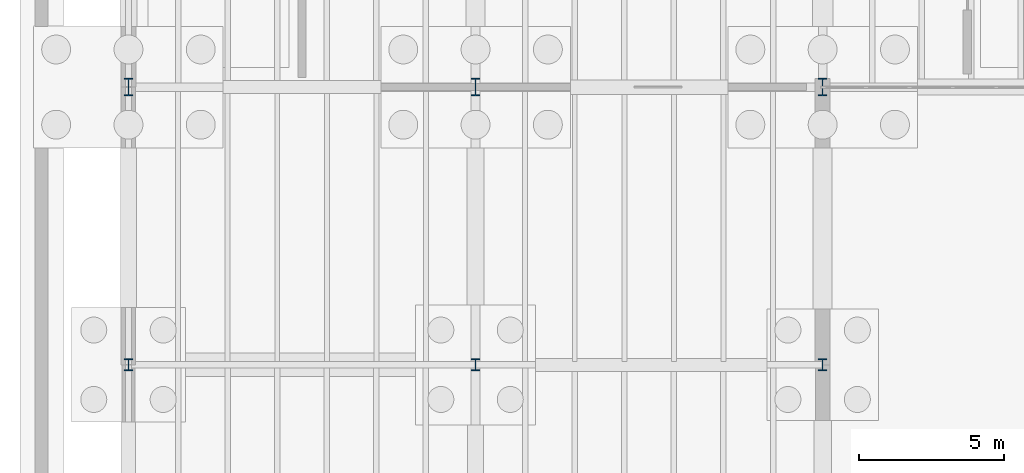
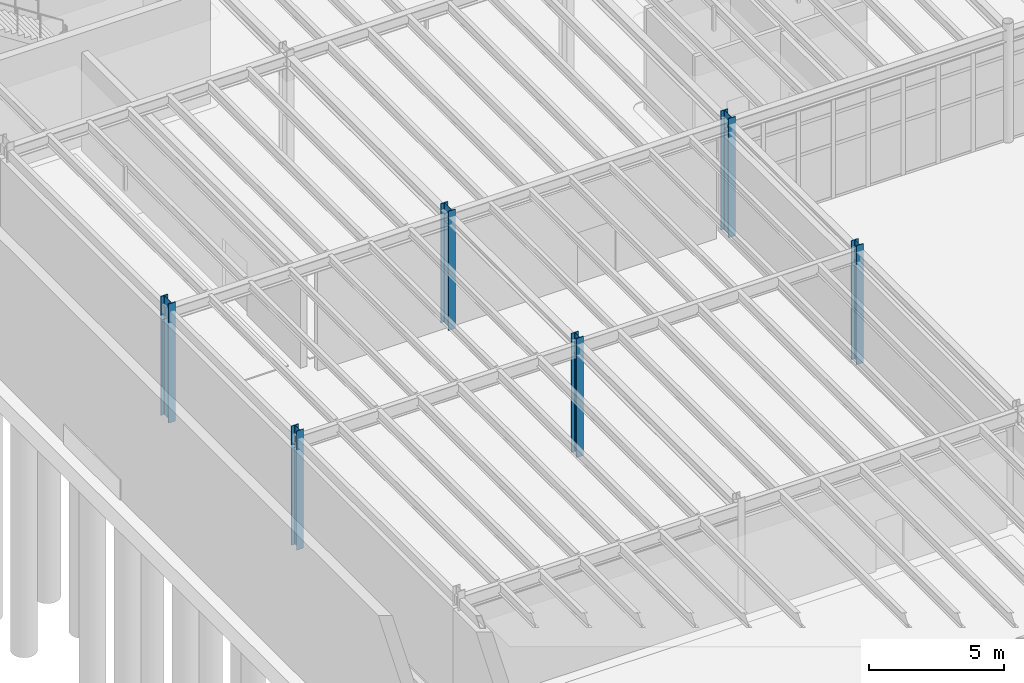
# One storey, part 12 of 67: 6 columns.
"""IFC4 building model written with IfcOpenShell, lengths in metres."""

from ifc_helpers import new_model, si_unit, direction, frame, origin, origin_2d, place, context, subcontext, project, spatial, i_section, extrude, material, material_profile, profile_set, type_object, element, save


model = new_model("IFC4")

# Units and contexts
model_context = context("Model", 3, precision=1e-05, world=origin(), true_north=direction((0.0, 1.0)))
body_context = subcontext(model_context, "Body", "Model", "MODEL_VIEW")
ifc_project = project(units=[si_unit("LENGTHUNIT", "METRE"), si_unit("AREAUNIT", "SQUARE_METRE"), si_unit("VOLUMEUNIT", "CUBIC_METRE"), si_unit("PLANEANGLEUNIT", "RADIAN"), si_unit("MASSUNIT", "GRAM", prefix="KILO")], contexts=[model_context])

# Site, building, storey
site_placement = place(None, origin())
site = spatial("IfcSite", under=ifc_project, at=site_placement, CompositionType="ELEMENT")
building_placement = place(site_placement, origin())
building = spatial("IfcBuilding", under=site, at=building_placement, Name="Zlatogorsky Bluff Art Gallery", CompositionType="ELEMENT")
storey_placement = place(building_placement, frame((0.0, 0.0, -5.39990234375)))
storey = spatial("IfcBuildingStorey", under=building, at=storey_placement, Name="B1", CompositionType="ELEMENT", Elevation=-5.39990234375)

# Columns
ifc_material = material(Name="Steel S355", Category="steel")
ifc_material_profile_1 = material_profile(ifc_material, i_section(OverallWidth=0.300048828125, OverallDepth=0.60009765625, WebThickness=0.015380859375, FlangeThickness=0.030029296875, FilletRadius=0.027099609375, at=origin_2d()), Name="HEB 600")
ifc_profile_set_1 = profile_set([ifc_material_profile_1], Name="Steel S355")
column_type_1 = type_object("IfcColumnType", Name="Column CL-01 HEB 600", PredefinedType="COLUMN", material=ifc_profile_set_1)
for number, where, z_axis, x_axis, name in (
    (1, (0.0, 84.0, 0.0), (0.0, 0.0, 1.0), (1.0, 0.0, 0.0), "Column CL-01 B1 A9"),
    (2, (12.0, 84.0, 0.0), (0.0, 0.0, 1.0), (1.0, 0.0, 0.0), "Column CL-01 B1 B9"),
    (3, (24.0, 84.0, 0.0), (0.0, 0.0, 1.0), (1.0, 0.0, 0.0), "Column CL-01 B1 C9"),
):
    element("IfcColumn", number, at=place(storey_placement, frame(where, z_axis=z_axis, x_axis=x_axis)), inside=storey, type_object=column_type_1, Name=name, PredefinedType="COLUMN", context=body_context, shape_type="SweptSolid", body=[
        extrude(i_section(OverallWidth=0.300048828125, OverallDepth=0.60009765625, WebThickness=0.015380859375, FlangeThickness=0.030029296875, FilletRadius=0.027099609375, at=origin_2d()), origin(), (0.0, 0.0, 1.0), 5.39990234375),
    ])
ifc_material_profile_2 = material_profile(ifc_material, i_section(OverallWidth=0.300048828125, OverallDepth=0.39990234375, WebThickness=0.013427734375, FlangeThickness=0.02392578125, FilletRadius=0.027099609375, at=origin_2d()), Name="HEB 400")
ifc_profile_set_2 = profile_set([ifc_material_profile_2], Name="Steel S355")
column_type_2 = type_object("IfcColumnType", Name="Column CL-04 HEB 400", PredefinedType="COLUMN", material=ifc_profile_set_2)
for number, where, z_axis, x_axis, name in (
    (4, (0.0, 74.39990234375, 0.0), (0.0, 0.0, 1.0), (1.0, 0.0, 0.0), "Column CL-04 B1 A8"),
    (5, (12.0, 74.39990234375, 0.0), (0.0, 0.0, 1.0), (1.0, 0.0, 0.0), "Column CL-04 B1 B8"),
    (6, (24.0, 74.39990234375, 0.0), (0.0, 0.0, 1.0), (1.0, 0.0, 0.0), "Column CL-04 B1 C8"),
):
    element("IfcColumn", number, at=place(storey_placement, frame(where, z_axis=z_axis, x_axis=x_axis)), inside=storey, type_object=column_type_2, Name=name, PredefinedType="COLUMN", context=body_context, shape_type="SweptSolid", body=[
        extrude(i_section(OverallWidth=0.300048828125, OverallDepth=0.39990234375, WebThickness=0.013427734375, FlangeThickness=0.02392578125, FilletRadius=0.027099609375, at=origin_2d()), origin(), (0.0, 0.0, 1.0), 5.39990234375),
    ])

save(model, "model.ifc")
